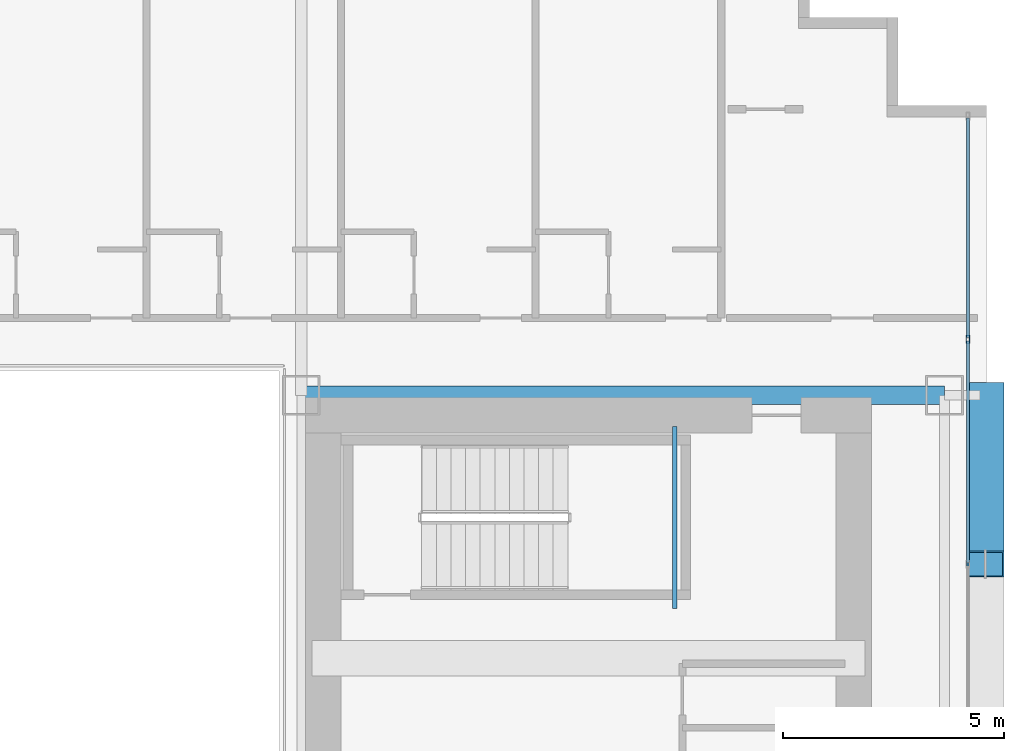
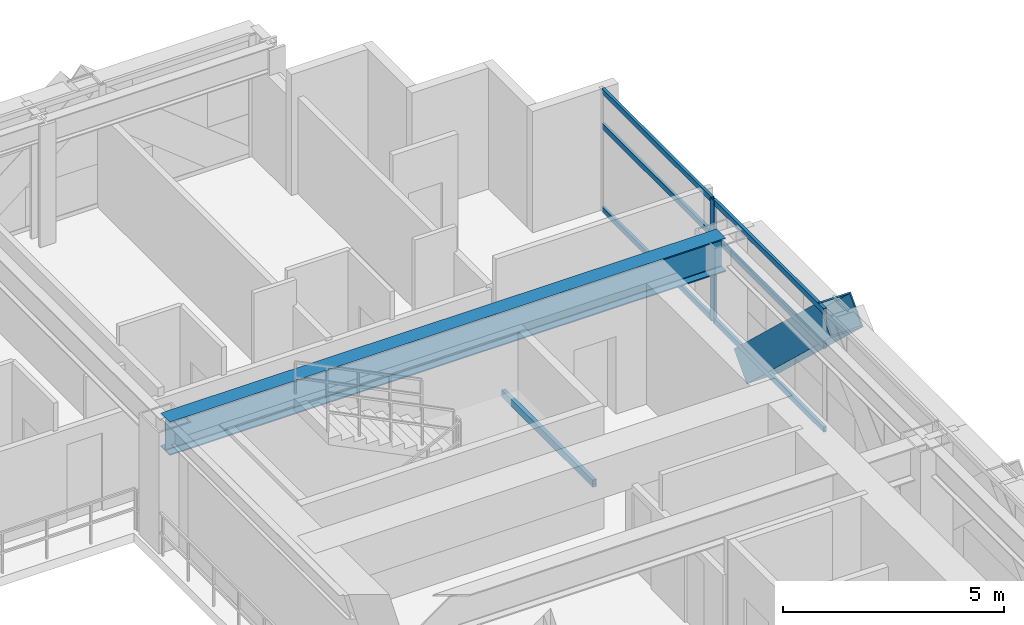
# One storey, part 20 of 36: 8 members, 2 beams, 1 element without a shape of its own.
"""IFC4 building model written with IfcOpenShell, lengths in metres."""

from ifc_helpers import new_model, si_unit, direction, frame, origin, origin_2d, place, context, subcontext, project, spatial, hollow_rectangle, i_section, extrude, source, transform, mapped, material, layer, layer_set, material_profile, profile_set, type_object, element, aggregate, save


model = new_model("IFC4")

# Units and contexts
model_context = context("Model", 3, precision=1e-05, world=origin(), true_north=direction((0.0, 1.0)))
body_context = subcontext(model_context, "Body", "Model", "MODEL_VIEW")
ifc_project = project(units=[si_unit("LENGTHUNIT", "METRE"), si_unit("AREAUNIT", "SQUARE_METRE"), si_unit("VOLUMEUNIT", "CUBIC_METRE"), si_unit("PLANEANGLEUNIT", "RADIAN"), si_unit("MASSUNIT", "GRAM", prefix="KILO")], contexts=[model_context])

# Site, building, storey
site_placement = place(None, origin())
site = spatial("IfcSite", under=ifc_project, at=site_placement, CompositionType="ELEMENT")
building_placement = place(site_placement, origin())
building = spatial("IfcBuilding", under=site, at=building_placement, Name="Ocotamira Hotel", CompositionType="ELEMENT")
storey_placement = place(building_placement, frame((0.0, 0.0, 42.0)))
storey = spatial("IfcBuildingStorey", under=building, at=storey_placement, Name="L09", CompositionType="ELEMENT", Elevation=42.0)

# Beams
ifc_material_1 = material(Name="Steel ASTM A500 Grade C", Category="steel")
ifc_material_profile_1 = material_profile(ifc_material_1, hollow_rectangle(XDim=0.10009765625, YDim=0.199951171875, WallThickness=0.008056640625, at=origin_2d()), Name="HSS200X100X8")
ifc_profile_set_1 = profile_set([ifc_material_profile_1], Name="Steel ASTM A500 Grade C")
beam_type_1 = type_object("IfcBeamType", Name="BM-STLDG-HSS200", PredefinedType="BEAM", material=ifc_profile_set_1)
shared_shape_1 = source(origin(), body_context, "Body", "SweptSolid", [
    extrude(hollow_rectangle(XDim=0.10009765625, YDim=0.199951171875, WallThickness=0.008056640625, at=origin_2d()), origin(), (0.0, 0.0, 1.0), 4.1201171875),
])
beam_1_placement = place(storey_placement, frame((48.949951171875, 32.6298828125, 1.5), z_axis=(0.0, 1.0, 0.0), x_axis=(-1.0, 0.0, 0.0)))
element("IfcBeam", 1, at=beam_1_placement, inside=storey, type_object=beam_type_1, Name="L09 Stair ST-4 Landing Bearer 1", PredefinedType="BEAM", context=body_context, shape_type="MappedRepresentation", body=[
    mapped(shared_shape_1, transform((0.0, 0.0, 0.0), scale=1.0)),
])
ifc_material_2 = material(Name="Steel ASTM A992 Grade 50", Category="steel")
ifc_material_profile_2 = material_profile(ifc_material_2, i_section(OverallWidth=0.41796875, OverallDepth=0.927001953125, WebThickness=0.019287109375, FlangeThickness=0.031982421875, FilletRadius=0.02392578125, at=origin_2d()), Name="W36X231")
ifc_profile_set_2 = profile_set([ifc_material_profile_2], Name="Steel ASTM A992 Grade 50")
beam_type_2 = type_object("IfcBeamType", Name="BM-GIRD-W36X231", PredefinedType="BEAM", material=ifc_profile_set_2)
shared_shape_2 = source(origin(), body_context, "Body", "SweptSolid", [
    extrude(i_section(OverallWidth=0.41796875, OverallDepth=0.927001953125, WebThickness=0.019287109375, FlangeThickness=0.031982421875, FilletRadius=0.02392578125, at=origin_2d()), origin(), (0.0, 0.0, 1.0), 14.550048828125),
])
beam_2_placement = place(storey_placement, frame((40.5, 37.449951171875, 2.886474609375), z_axis=(1.0, 0.0, 0.0), x_axis=(0.0, 1.0, 0.0)))
element("IfcBeam", 2, at=beam_2_placement, inside=storey, type_object=beam_type_2, Name="L09 Girder Y37.45 X40.5-55.05", PredefinedType="BEAM", context=body_context, shape_type="MappedRepresentation", body=[
    mapped(shared_shape_2, transform((0.0, 0.0, 0.0), scale=1.0)),
])

# Member
ifc_material_3 = material(Name="Pale-metal coated steel ASTM A913 Grade 65", Category="steel")
ifc_material_profile_3 = material_profile(ifc_material_3, hollow_rectangle(XDim=0.85009765625, YDim=0.85009765625, WallThickness=0.035888671875, at=origin_2d()), Name="BOX850X850X36")
ifc_profile_set_3 = profile_set([ifc_material_profile_3], Name="Pale-metal coated steel ASTM A913 Grade 65")
member_type_1 = type_object("IfcMemberType", Name="MEM-EXO-BOX850", PredefinedType="BRACE", material=ifc_profile_set_3)
shared_shape_3 = source(origin(), body_context, "Body", "SweptSolid", [
    extrude(hollow_rectangle(XDim=0.85009765625, YDim=0.85009765625, WallThickness=0.035888671875, at=origin_2d()), origin(), (0.0, 0.0, 1.0), 5.24658203125),
])
member_1_placement = place(storey_placement, frame((55.969970703125, 37.449951171875, -0.5), z_axis=(0.0, -0.727442733726, 0.686168397078), x_axis=(1.0, 0.0, 0.0)))
element("IfcMember", 3, at=member_1_placement, inside=storey, type_object=member_type_1, Name="L09 Exoskeleton Diagrid E2.2", PredefinedType="BRACE", context=body_context, shape_type="MappedRepresentation", body=[
    mapped(shared_shape_3, transform((0.0, 0.0, 0.0), scale=1.0)),
])

# Curtain wall, members
ifc_material_4 = material(Name="Anodised pale-metal aluminium and solar glass", Category="aluminium")
ifc_layer = layer(ifc_material_4, 0.179931640625)
ifc_layer_set = layer_set([ifc_layer], Name="Anodised pale-metal aluminium and solar glass")
curtain_wall_type = type_object("IfcCurtainWallType", Name="CW-SYS2-Z1", PredefinedType="NOTDEFINED", material=ifc_layer_set)
curtain_wall_placement = place(storey_placement, origin())
curtain_wall = element("IfcCurtainWall", 4, at=curtain_wall_placement, inside=storey, type_object=curtain_wall_type, Name="L09 Curtain Wall CW-2 CW-L09-E", PredefinedType="NOTDEFINED")
ifc_material_5 = material(Name="Anodised pale-metal aluminium 6063-T6", Category="aluminium")
ifc_material_profile_4 = material_profile(ifc_material_5, hollow_rectangle(XDim=0.074951171875, YDim=0.14990234375, WallThickness=0.006103515625, at=origin_2d()), Name="HSS150X75X6")
ifc_profile_set_4 = profile_set([ifc_material_profile_4], Name="Anodised pale-metal aluminium 6063-T6")
member_type_2 = type_object("IfcMemberType", Name="CWT-150X75", PredefinedType="USERDEFINED", material=ifc_profile_set_4)
shared_shape_4 = source(origin(), body_context, "Body", "SweptSolid", [
    extrude(hollow_rectangle(XDim=0.074951171875, YDim=0.14990234375, WallThickness=0.006103515625, at=origin_2d()), origin(), (0.0, 0.0, 1.0), 4.965576171875),
])
member_2_placement = place(storey_placement, frame((55.580078125, 38.75439453125, 0.03759765625), z_axis=(0.0, 1.0, 0.0), x_axis=(-1.0, 0.0, 0.0)))
member_2 = element("IfcMember", 5, at=member_2_placement, type_object=member_type_2, Name="CW-2 transom 7.1", ObjectType="TRANSOM", PredefinedType="USERDEFINED", context=body_context, shape_type="MappedRepresentation", body=[
    mapped(shared_shape_4, transform((0.0, 0.0, 0.0), scale=1.0)),
])
member_3_placement = place(storey_placement, frame((55.580078125, 38.75439453125, 2.35009765625), z_axis=(0.0, 1.0, 0.0), x_axis=(-1.0, 0.0, 0.0)))
member_3 = element("IfcMember", 6, at=member_3_placement, type_object=member_type_2, Name="CW-2 transom 7.2", ObjectType="TRANSOM", PredefinedType="USERDEFINED", context=body_context, shape_type="MappedRepresentation", body=[
    mapped(shared_shape_4, transform((0.0, 0.0, 0.0), scale=1.0)),
])
member_4_placement = place(storey_placement, frame((55.580078125, 38.75439453125, 3.3125), z_axis=(0.0, 1.0, 0.0), x_axis=(-1.0, 0.0, 0.0)))
member_4 = element("IfcMember", 7, at=member_4_placement, type_object=member_type_2, Name="CW-2 transom 7.3", ObjectType="TRANSOM", PredefinedType="USERDEFINED", context=body_context, shape_type="MappedRepresentation", body=[
    mapped(shared_shape_4, transform((0.0, 0.0, 0.0), scale=1.0)),
])
shared_shape_5 = source(origin(), body_context, "Body", "SweptSolid", [
    extrude(hollow_rectangle(XDim=0.074951171875, YDim=0.14990234375, WallThickness=0.006103515625, at=origin_2d()), origin(), (0.0, 0.0, 1.0), 5.005859375),
])
member_5_placement = place(storey_placement, frame((55.580078125, 33.66845703125, 0.03759765625), z_axis=(0.0, 1.0, 0.0), x_axis=(-1.0, 0.0, 0.0)))
member_5 = element("IfcMember", 8, at=member_5_placement, type_object=member_type_2, Name="CW-2 transom 6.1", ObjectType="TRANSOM", PredefinedType="USERDEFINED", context=body_context, shape_type="MappedRepresentation", body=[
    mapped(shared_shape_5, transform((0.0, 0.0, 0.0), scale=1.0)),
])
member_6_placement = place(storey_placement, frame((55.580078125, 33.66845703125, 2.35009765625), z_axis=(0.0, 1.0, 0.0), x_axis=(-1.0, 0.0, 0.0)))
member_6 = element("IfcMember", 9, at=member_6_placement, type_object=member_type_2, Name="CW-2 transom 6.2", ObjectType="TRANSOM", PredefinedType="USERDEFINED", context=body_context, shape_type="MappedRepresentation", body=[
    mapped(shared_shape_5, transform((0.0, 0.0, 0.0), scale=1.0)),
])
member_7_placement = place(storey_placement, frame((55.580078125, 33.66845703125, 3.3125), z_axis=(0.0, 1.0, 0.0), x_axis=(-1.0, 0.0, 0.0)))
member_7 = element("IfcMember", 10, at=member_7_placement, type_object=member_type_2, Name="CW-2 transom 6.3", ObjectType="TRANSOM", PredefinedType="USERDEFINED", context=body_context, shape_type="MappedRepresentation", body=[
    mapped(shared_shape_5, transform((0.0, 0.0, 0.0), scale=1.0)),
])
ifc_material_profile_5 = material_profile(ifc_material_5, hollow_rectangle(XDim=0.080078125, YDim=0.179931640625, WallThickness=0.006103515625, at=origin_2d()), Name="HSS180X80X6")
ifc_profile_set_5 = profile_set([ifc_material_profile_5], Name="Anodised pale-metal aluminium 6063-T6")
member_type_3 = type_object("IfcMemberType", Name="CWM-180X75", PredefinedType="MULLION", material=ifc_profile_set_5)
shared_shape_6 = source(origin(), body_context, "Body", "SweptSolid", [
    extrude(hollow_rectangle(XDim=0.080078125, YDim=0.179931640625, WallThickness=0.006103515625, at=origin_2d()), origin(), (0.0, 0.0, 1.0), 3.35009765625),
])
member_8_placement = place(storey_placement, frame((55.580078125, 38.71435546875, 0.0), z_axis=(0.0, 0.0, 1.0), x_axis=(-1.0, 0.0, 0.0)))
member_8 = element("IfcMember", 11, at=member_8_placement, type_object=member_type_3, Name="CW-2 mullion 7", PredefinedType="MULLION", context=body_context, shape_type="MappedRepresentation", body=[
    mapped(shared_shape_6, transform((0.0, 0.0, 0.0), scale=1.0)),
])
aggregate(curtain_wall, [member_8, member_5, member_6, member_7, member_2, member_3, member_4])

save(model, "model.ifc")
